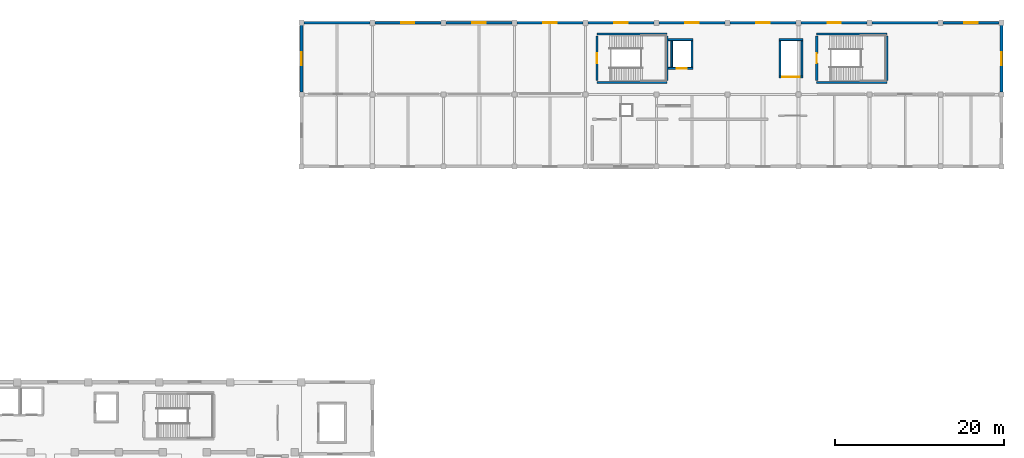
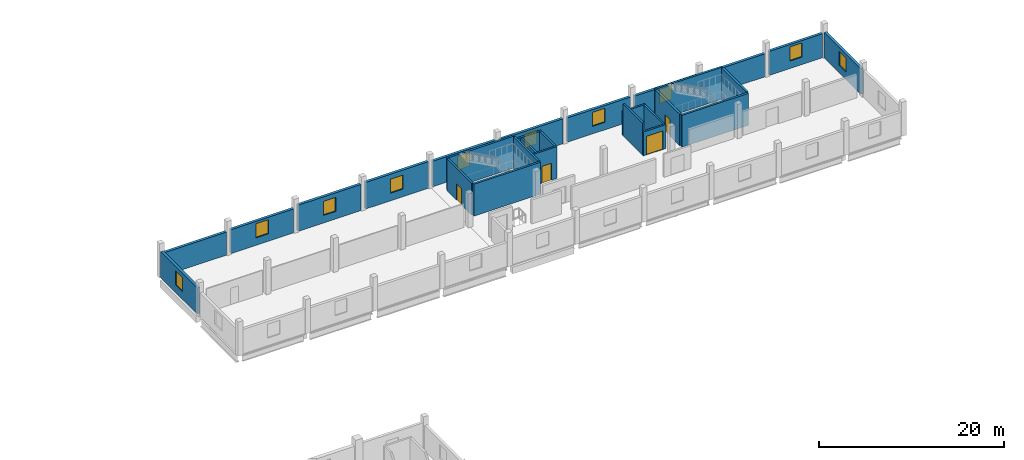
# One storey, part 43 of 50: 28 walls, 10 windows, 4 doors, 14 openings.
"""IFC4 building model written with IfcOpenShell, lengths in metres."""

import ifcopenshell
import ifcopenshell.guid

model = None  # the IFC model being written
_history = None  # IfcOwnerHistory: only IFC2X3 demands one
_inside = {}  # id of a spatial element -> (the spatial element, [elements in it])
_under = {}  # id of a project, library or spatial element -> (it, [spatial elements below it])
_declared = {}  # id of a project -> (the project, [libraries it declares])
_typed = {}  # id of a type object -> (the type object, [elements of that type])
_made_of = {}  # id of a material, layer set ... -> (it, [elements and type objects made of it])


def new_model(schema):
    """Start an empty IFC model of exactly this schema.

    Asked for "IFC4X3", IfcOpenShell would pick the latest addendum, in which some entities
    have other attributes; the version numbers below select the first issue.
    IFC2X3 requires an IfcOwnerHistory on every rooted entity: one is made here for all.
    """
    global model, _history
    if schema == "IFC4X3":
        model = ifcopenshell.file(schema_version=(4, 3, 0, 0))
    else:
        model = ifcopenshell.file(schema=schema)
    _inside.clear()
    _under.clear()
    _declared.clear()
    _typed.clear()
    _made_of.clear()
    _history = None
    if model.schema == "IFC2X3":
        org = make("IfcOrganization", Name="unknown")
        user = make(
            "IfcPersonAndOrganization",
            ThePerson=make("IfcPerson", FamilyName="unknown"),
            TheOrganization=org,
        )
        app = make(
            "IfcApplication",
            ApplicationDeveloper=org,
            Version="unknown",
            ApplicationFullName="unknown",
            ApplicationIdentifier="unknown",
        )
        _history = make(
            "IfcOwnerHistory",
            OwningUser=user,
            OwningApplication=app,
            ChangeAction="ADDED",
            CreationDate=0,
        )
    return model


def make(cls, **values):
    """One entity of the class cls with the attributes given. An attribute that is None is left unset."""
    return model.create_entity(
        cls, **{name: value for name, value in values.items() if value is not None}
    )


def rooted(cls, **values):
    """An entity with a GlobalId (a new one), such as an element, a storey or a relation."""
    return make(cls, GlobalId=ifcopenshell.guid.new(), OwnerHistory=_history, **values)


def si_unit(unit_type, name, prefix=None):
    """IfcSIUnit, for example si_unit("LENGTHUNIT", "METRE", prefix="MILLI")."""
    return make("IfcSIUnit", UnitType=unit_type, Prefix=prefix, Name=name)


def assignment(units):
    """IfcUnitAssignment: the units of a project."""
    return None if units is None else make("IfcUnitAssignment", Units=units)


def point(xyz):
    """IfcCartesianPoint."""
    return None if xyz is None else make("IfcCartesianPoint", Coordinates=xyz)


def direction(xyz):
    """IfcDirection."""
    return None if xyz is None else make("IfcDirection", DirectionRatios=xyz)


def frame(location, z_axis=None, x_axis=None):
    """IfcAxis2Placement3D, a coordinate frame: its origin and axes. An axis left out is left unset."""
    return make(
        "IfcAxis2Placement3D",
        Location=point(location),
        Axis=direction(z_axis),
        RefDirection=direction(x_axis),
    )


def frame_2d(location, x_axis=None):
    """IfcAxis2Placement2D, a coordinate frame in the plane: its origin and x axis."""
    return make(
        "IfcAxis2Placement2D", Location=point(location), RefDirection=direction(x_axis)
    )


def origin():
    """The frame at (0, 0, 0) with its axes left unset."""
    return frame((0.0, 0.0, 0.0))


def place(relative_to, where):
    """IfcLocalPlacement: puts the frame where relative to a parent placement (None: the world)."""
    return make(
        "IfcLocalPlacement", PlacementRelTo=relative_to, RelativePlacement=where
    )


def context(
    kind, dimensions, precision=None, world=None, true_north=None, identifier=None
):
    """IfcGeometricRepresentationContext, for example the 3D "Model" context."""
    return make(
        "IfcGeometricRepresentationContext",
        ContextIdentifier=identifier,
        ContextType=kind,
        CoordinateSpaceDimension=dimensions,
        Precision=precision,
        WorldCoordinateSystem=world,
        TrueNorth=true_north,
    )


def subcontext(parent, identifier, kind, view, scale=None):
    """IfcGeometricRepresentationSubContext, for example "Body" below "Model"."""
    return make(
        "IfcGeometricRepresentationSubContext",
        ContextIdentifier=identifier,
        ContextType=kind,
        ParentContext=parent,
        TargetScale=scale,
        TargetView=view,
    )


def project(units=None, contexts=None):
    """IfcProject with its units and contexts."""
    return rooted(
        "IfcProject",
        Name="project",
        RepresentationContexts=contexts,
        UnitsInContext=assignment(units),
    )


def spatial(cls, under=None, at=None, **own):
    """A site, building, storey or space (cls), placed at a placement, below another one or the project."""
    s = rooted(cls, ObjectPlacement=at, **own)
    if under is not None:
        _under.setdefault(under.id(), (under, []))[1].append(s)
    return s


def profile(cls, at=None, kind="AREA", **sizes):
    """A parametric profile (cls). Its sizes go by their IFC names, for example OverallWidth=200.0."""
    return make(cls, ProfileType=kind, Position=at, **sizes)


def rectangle(**sizes):
    """IfcRectangleProfileDef."""
    return profile("IfcRectangleProfileDef", **sizes)


def extrude(swept, where, along, depth):
    """IfcExtrudedAreaSolid: the profile swept, set in the frame where, extruded along a direction by depth."""
    return make(
        "IfcExtrudedAreaSolid",
        SweptArea=swept,
        Position=where,
        ExtrudedDirection=direction(along),
        Depth=depth,
    )


def shape(context_of_items, identifier, shape_type, items):
    """IfcShapeRepresentation: the items that make up one representation, for example the "Body"."""
    return make(
        "IfcShapeRepresentation",
        ContextOfItems=context_of_items,
        RepresentationIdentifier=identifier,
        RepresentationType=shape_type,
        Items=items,
    )


def material(Name=None, Category=None):
    """IfcMaterial."""
    return make("IfcMaterial", Name=Name, Category=Category)


def layer(
    of_material, thickness, ventilated=None, Name=None, Category=None, Priority=None
):
    """IfcMaterialLayer: one layer of a wall or slab, of a material (None: an air gap)."""
    return make(
        "IfcMaterialLayer",
        Material=of_material,
        LayerThickness=thickness,
        IsVentilated=ventilated,
        Name=Name,
        Category=Category,
        Priority=Priority,
    )


def layer_set(layers, Name=None):
    """IfcMaterialLayerSet."""
    return make("IfcMaterialLayerSet", MaterialLayers=layers, LayerSetName=Name)


def made_of(thing, what):
    """Note that an element or type object is made of a material, layer set ...; save() writes the relation."""
    if what is not None:
        _made_of.setdefault(what.id(), (what, []))[1].append(thing)
    return thing


def type_object(cls, material=None, **own):
    """A type object (cls), such as IfcWallType, which elements share."""
    return made_of(rooted(cls, **own), material)


def element(
    cls,
    number,
    at=None,
    inside=None,
    cuts=None,
    type_object=None,
    material=None,
    context=None,
    identifier="Body",
    shape_type=None,
    held_by="IfcProductDefinitionShape",
    body=None,
    shapes=None,
    **own,
):
    """One element of the class cls, such as IfcWall. Its Tag is "e" and its number.

    at: its placement. inside: the storey or other place that contains it. cuts: it is an
    opening in that element (IfcRelVoidsElement). A single representation is given by context,
    identifier, shape_type and body (its items); several are given by shapes. held_by: the class
    of the entity that holds the representations. save() writes the other relations.
    """
    e = rooted(cls, Tag="e%d" % number, ObjectPlacement=at, **own)
    if body is not None:
        shapes = [shape(context, identifier, shape_type, body)]
    if shapes is not None:
        e.Representation = make(held_by, Representations=shapes)
    if inside is not None:
        _inside.setdefault(inside.id(), (inside, []))[1].append(e)
    if cuts is not None:
        rooted(
            "IfcRelVoidsElement", RelatingBuildingElement=cuts, RelatedOpeningElement=e
        )
    if type_object is not None:
        _typed.setdefault(type_object.id(), (type_object, []))[1].append(e)
    return made_of(e, material)


def fill(opening, filler):
    """IfcRelFillsElement: the door or window that sits in an opening."""
    return rooted(
        "IfcRelFillsElement",
        RelatingOpeningElement=opening,
        RelatedBuildingElement=filler,
    )


def aggregate(whole, parts):
    """IfcRelAggregates: a whole, such as a stair, and the parts it consists of."""
    return rooted("IfcRelAggregates", RelatingObject=whole, RelatedObjects=parts)


def save(model, path):
    """Write the relations noted so far, then the file.

    IfcRelAggregates (storeys below a building ...), IfcRelContainedInSpatialStructure (elements
    in a storey), IfcRelDefinesByType, IfcRelAssociatesMaterial and IfcRelDeclares: one each for
    every whole, place, type object, material and project.
    """
    for whole, parts in _under.values():
        aggregate(whole, parts)
    for where, things in _inside.values():
        rooted(
            "IfcRelContainedInSpatialStructure",
            RelatedElements=things,
            RelatingStructure=where,
        )
    for kind, things in _typed.values():
        rooted("IfcRelDefinesByType", RelatedObjects=things, RelatingType=kind)
    for what, things in _made_of.values():
        rooted("IfcRelAssociatesMaterial", RelatedObjects=things, RelatingMaterial=what)
    for by, libraries in _declared.values():
        rooted("IfcRelDeclares", RelatingContext=by, RelatedDefinitions=libraries)
    model.write(path)


model = new_model("IFC4")

# Units and contexts
model_context = context("Model", 3, precision=1e-05, world=origin(), true_north=direction((0.0, 1.0)))
body_context = subcontext(model_context, "Body", "Model", "MODEL_VIEW")
ifc_project = project(units=[si_unit("LENGTHUNIT", "METRE"), si_unit("AREAUNIT", "SQUARE_METRE"), si_unit("VOLUMEUNIT", "CUBIC_METRE"), si_unit("PLANEANGLEUNIT", "RADIAN"), si_unit("MASSUNIT", "GRAM", prefix="KILO")], contexts=[model_context])

# Site, building, storey
site_placement = place(None, origin())
site = spatial("IfcSite", under=ifc_project, at=site_placement, CompositionType="ELEMENT")
building_placement = place(site_placement, origin())
building = spatial("IfcBuilding", under=site, at=building_placement, Name="Solvento Point Concert Hall", CompositionType="ELEMENT")
storey_placement = place(building_placement, frame((0.0, 0.0, 15.0)))
storey = spatial("IfcBuildingStorey", under=building, at=storey_placement, Name="L03", CompositionType="ELEMENT", Elevation=15.0)

# Walls
ifc_material_1 = material(Name="Concrete C40/50", Category="concrete")
ifc_layer_1 = layer(ifc_material_1, 0.300048828125)
ifc_layer_set_1 = layer_set([ifc_layer_1], Name="Concrete C40/50")
wall_type_1 = type_object("IfcWallType", Name="CoreShearWall_300", PredefinedType="SHEAR", material=ifc_layer_set_1)
for number, where, z_axis, x_axis, name in (
    (1, (176.449951171875, 128.949951171875, 0.0), (0.0, 0.0, 1.0), (-1.0, 0.0, 0.0), "Stair core shear wall W-SH1 ST-01 L03"),
    (2, (168.14990234375, 134.64990234375, 0.0), (0.0, 0.0, 1.0), (1.0, 0.0, 0.0), "Stair core shear wall W-SH1 ST-01 L03"),
):
    element("IfcWall", number, at=place(storey_placement, frame(where, z_axis=z_axis, x_axis=x_axis)), inside=storey, type_object=wall_type_1, Name=name, PredefinedType="SHEAR", context=body_context, shape_type="SweptSolid", body=[
        extrude(rectangle(XDim=8.300048828125, YDim=0.25, at=frame_2d((4.14990234375, 0.0))), origin(), (0.0, 0.0, 1.0), 4.2099609375),
    ])

# Wall, opening, door
wall_1_placement = place(storey_placement, frame((168.14990234375, 129.14990234375, 0.0), z_axis=(0.0, 0.0, 1.0), x_axis=(0.0, 1.0, 0.0)))
wall_1 = element("IfcWall", 3, at=wall_1_placement, inside=storey, type_object=wall_type_1, Name="Stair core shear wall W-SH1 ST-01 L03", PredefinedType="SHEAR", context=body_context, shape_type="SweptSolid", body=[
    extrude(rectangle(XDim=5.300048828125, YDim=0.25, at=frame_2d((2.64990234375, 0.0))), origin(), (0.0, 0.0, 1.0), 4.2099609375),
])
opening_1_placement = place(wall_1_placement, frame((2.074951171875, 0.0, 0.0)))
opening_1 = element("IfcOpeningElement", 4, at=opening_1_placement, cuts=wall_1, Name="Opening D-ST1", PredefinedType="OPENING", context=body_context, shape_type="SweptSolid", body=[
    extrude(rectangle(XDim=1.14990234375, YDim=2.179931640625, at=frame_2d((0.574951171875, 1.08984375))), frame((0.0, 0.135009765625, 0.0), z_axis=(0.0, -1.0, 0.0), x_axis=(1.0, 0.0, 0.0)), (0.0, 0.0, 1.0), 0.27001953125),
])
ifc_material_2 = material(Name="Hollow Metal Acoustic Fire Door")
door_type_1 = type_object("IfcDoorType", Name="StairFireDoor_1150", OperationType="NOTDEFINED", PredefinedType="DOOR", material=ifc_material_2)
door_1_placement = place(opening_1_placement, origin())
door_1 = element("IfcDoor", 5, at=door_1_placement, inside=storey, type_object=door_type_1, Name="Protected exit stair door ST-01 L03", OperationType="SINGLE_SWING_LEFT", OverallHeight=2.179931640625, OverallWidth=1.14990234375, PredefinedType="DOOR", context=body_context, shape_type="SweptSolid", body=[
    extrude(rectangle(XDim=1.14990234375, YDim=2.179931640625, at=frame_2d((0.574951171875, 1.08984375))), frame((0.0, 0.02490234375, 0.0), z_axis=(0.0, -1.0, 0.0), x_axis=(1.0, 0.0, 0.0)), (0.0, 0.0, 1.0), 0.050048828125),
])
fill(opening_1, door_1)

# Walls
wall_2_placement = place(storey_placement, frame((176.449951171875, 134.449951171875, 0.0), z_axis=(0.0, 0.0, 1.0), x_axis=(0.0, -1.0, 0.0)))
element("IfcWall", 6, at=wall_2_placement, inside=storey, type_object=wall_type_1, Name="Stair core shear wall W-SH1 ST-01 L03", PredefinedType="SHEAR", context=body_context, shape_type="SweptSolid", body=[
    extrude(rectangle(XDim=5.300048828125, YDim=0.25, at=frame_2d((2.64990234375, 0.0))), origin(), (0.0, 0.0, 1.0), 4.2099609375),
])
for number, where, z_axis, x_axis, name in (
    (7, (202.449951171875, 128.949951171875, 0.0), (0.0, 0.0, 1.0), (-1.0, 0.0, 0.0), "Stair core shear wall W-SH1 ST-02 L03"),
    (8, (194.14990234375, 134.64990234375, 0.0), (0.0, 0.0, 1.0), (1.0, 0.0, 0.0), "Stair core shear wall W-SH1 ST-02 L03"),
):
    element("IfcWall", number, at=place(storey_placement, frame(where, z_axis=z_axis, x_axis=x_axis)), inside=storey, type_object=wall_type_1, Name=name, PredefinedType="SHEAR", context=body_context, shape_type="SweptSolid", body=[
        extrude(rectangle(XDim=8.300048828125, YDim=0.25, at=frame_2d((4.14990234375, 0.0))), origin(), (0.0, 0.0, 1.0), 4.2099609375),
    ])

# Wall, opening, door
wall_3_placement = place(storey_placement, frame((194.14990234375, 129.14990234375, 0.0), z_axis=(0.0, 0.0, 1.0), x_axis=(0.0, 1.0, 0.0)))
wall_3 = element("IfcWall", 9, at=wall_3_placement, inside=storey, type_object=wall_type_1, Name="Stair core shear wall W-SH1 ST-02 L03", PredefinedType="SHEAR", context=body_context, shape_type="SweptSolid", body=[
    extrude(rectangle(XDim=5.300048828125, YDim=0.25, at=frame_2d((2.64990234375, 0.0))), origin(), (0.0, 0.0, 1.0), 4.2099609375),
])
opening_2_placement = place(wall_3_placement, frame((2.074951171875, 0.0, 0.0)))
opening_2 = element("IfcOpeningElement", 10, at=opening_2_placement, cuts=wall_3, Name="Opening D-ST1", PredefinedType="OPENING", context=body_context, shape_type="SweptSolid", body=[
    extrude(rectangle(XDim=1.14990234375, YDim=2.179931640625, at=frame_2d((0.574951171875, 1.08984375))), frame((0.0, 0.135009765625, 0.0), z_axis=(0.0, -1.0, 0.0), x_axis=(1.0, 0.0, 0.0)), (0.0, 0.0, 1.0), 0.27001953125),
])
door_2_placement = place(opening_2_placement, origin())
door_2 = element("IfcDoor", 11, at=door_2_placement, inside=storey, type_object=door_type_1, Name="Protected exit stair door ST-02 L03", OperationType="SINGLE_SWING_RIGHT", OverallHeight=2.179931640625, OverallWidth=1.14990234375, PredefinedType="DOOR", context=body_context, shape_type="SweptSolid", body=[
    extrude(rectangle(XDim=1.14990234375, YDim=2.179931640625, at=frame_2d((0.574951171875, 1.08984375))), frame((0.0, 0.02490234375, 0.0), z_axis=(0.0, -1.0, 0.0), x_axis=(1.0, 0.0, 0.0)), (0.0, 0.0, 1.0), 0.050048828125),
])
fill(opening_2, door_2)

# Wall
wall_4_placement = place(storey_placement, frame((202.449951171875, 134.449951171875, 0.0), z_axis=(0.0, 0.0, 1.0), x_axis=(0.0, -1.0, 0.0)))
element("IfcWall", 12, at=wall_4_placement, inside=storey, type_object=wall_type_1, Name="Stair core shear wall W-SH1 ST-02 L03", PredefinedType="SHEAR", context=body_context, shape_type="SweptSolid", body=[
    extrude(rectangle(XDim=5.300048828125, YDim=0.25, at=frame_2d((2.64990234375, 0.0))), origin(), (0.0, 0.0, 1.0), 4.2099609375),
])

# Wall, opening, door
wall_5_placement = place(storey_placement, frame((176.574951171875, 130.60009765625, 0.0), z_axis=(0.0, 0.0, 1.0), x_axis=(1.0, 0.0, 0.0)))
wall_5 = element("IfcWall", 13, at=wall_5_placement, inside=storey, type_object=wall_type_1, Name="Elevator shaft shear wall W-SH1 LF-01 L03", PredefinedType="SHEAR", context=body_context, shape_type="SweptSolid", body=[
    extrude(rectangle(XDim=2.93505859375, YDim=0.219970703125, at=frame_2d((1.467529296875, 0.0))), origin(), (0.0, 0.0, 1.0), 4.2099609375),
])
opening_3_placement = place(wall_5_placement, frame((1.02490234375, 0.0, 0.0)))
opening_3 = element("IfcOpeningElement", 14, at=opening_3_placement, cuts=wall_5, Name="Opening LD-01", PredefinedType="OPENING", context=body_context, shape_type="SweptSolid", body=[
    extrude(rectangle(XDim=1.199951171875, YDim=2.25, at=frame_2d((0.60009765625, 1.125))), frame((0.0, 0.119873046875, 0.0), z_axis=(0.0, -1.0, 0.0), x_axis=(1.0, 0.0, 0.0)), (0.0, 0.0, 1.0), 0.239990234375),
])
ifc_material_3 = material(Name="Hollow Metal Acoustic Fire Door")
door_type_2 = type_object("IfcDoorType", Name="LiftLandingDoor_FF", OperationType="SLIDING_TO_LEFT", PredefinedType="DOOR", material=ifc_material_3)
door_3_placement = place(opening_3_placement, origin())
door_3 = element("IfcDoor", 15, at=door_3_placement, inside=storey, type_object=door_type_2, Name="Elevator landing door LF-01 L03", OperationType="SLIDING_TO_LEFT", OverallHeight=2.25, OverallWidth=1.199951171875, PredefinedType="DOOR", context=body_context, shape_type="SweptSolid", body=[
    extrude(rectangle(XDim=1.199951171875, YDim=2.25, at=frame_2d((0.60009765625, 1.125))), frame((0.0, 0.02490234375, 0.0), z_axis=(0.0, -1.0, 0.0), x_axis=(1.0, 0.0, 0.0)), (0.0, 0.0, 1.0), 0.050048828125),
])
fill(opening_3, door_3)

# Walls
wall_6_placement = place(storey_placement, frame((176.574951171875, 134.0, 0.0), z_axis=(0.0, 0.0, 1.0), x_axis=(1.0, 0.0, 0.0)))
element("IfcWall", 16, at=wall_6_placement, inside=storey, type_object=wall_type_1, Name="Elevator shaft shear wall W-SH1 LF-01 L03", PredefinedType="SHEAR", context=body_context, shape_type="SweptSolid", body=[
    extrude(rectangle(XDim=2.93505859375, YDim=0.219970703125, at=frame_2d((1.467529296875, 0.0))), origin(), (0.0, 0.0, 1.0), 4.2099609375),
])
for number, where, z_axis, x_axis, name in (
    (17, (177.0, 130.7099609375, 0.0), (0.0, 0.0, 1.0), (0.0, 1.0, 0.0), "Elevator shaft shear wall W-SH1 LF-01 L03"),
    (18, (179.39990234375, 130.7099609375, 0.0), (0.0, 0.0, 1.0), (0.0, 1.0, 0.0), "Elevator shaft shear wall W-SH1 LF-01 L03"),
):
    element("IfcWall", number, at=place(storey_placement, frame(where, z_axis=z_axis, x_axis=x_axis)), inside=storey, type_object=wall_type_1, Name=name, PredefinedType="SHEAR", context=body_context, shape_type="SweptSolid", body=[
        extrude(rectangle(XDim=3.179931640625, YDim=0.219970703125, at=frame_2d((1.58984375, 0.0))), origin(), (0.0, 0.0, 1.0), 4.2099609375),
    ])

# Wall, opening, door
wall_7_placement = place(storey_placement, frame((189.68994140625, 129.60009765625, 0.0), z_axis=(0.0, 0.0, 1.0), x_axis=(1.0, 0.0, 0.0)))
wall_7 = element("IfcWall", 19, at=wall_7_placement, inside=storey, type_object=wall_type_1, Name="Elevator shaft shear wall W-SH1 LG-02 L03", PredefinedType="SHEAR", context=body_context, shape_type="SweptSolid", body=[
    extrude(rectangle(XDim=2.820068359375, YDim=0.219970703125, at=frame_2d((1.41015625, 0.0))), origin(), (0.0, 0.0, 1.0), 3.1640625),
])
opening_4_placement = place(wall_7_placement, frame((0.360107421875, 0.0, 0.0)))
opening_4 = element("IfcOpeningElement", 20, at=opening_4_placement, cuts=wall_7, Name="Opening LD-03", PredefinedType="OPENING", context=body_context, shape_type="SweptSolid", body=[
    extrude(rectangle(XDim=2.10009765625, YDim=2.449951171875, at=frame_2d((1.050048828125, 1.22509765625))), frame((0.0, 0.119873046875, 0.0), z_axis=(0.0, -1.0, 0.0), x_axis=(1.0, 0.0, 0.0)), (0.0, 0.0, 1.0), 0.239990234375),
])
ifc_material_4 = material(Name="Hollow Metal Acoustic Fire Door")
door_type_3 = type_object("IfcDoorType", Name="LiftLandingDoor_Goods", OperationType="DOUBLE_DOOR_SLIDING", PredefinedType="DOOR", material=ifc_material_4)
door_4_placement = place(opening_4_placement, origin())
door_4 = element("IfcDoor", 21, at=door_4_placement, inside=storey, type_object=door_type_3, Name="Elevator landing door LG-02 L03", OperationType="DOUBLE_DOOR_SLIDING", OverallHeight=2.449951171875, OverallWidth=2.10009765625, PredefinedType="DOOR", context=body_context, shape_type="SweptSolid", body=[
    extrude(rectangle(XDim=2.10009765625, YDim=2.449951171875, at=frame_2d((1.050048828125, 1.22509765625))), frame((0.0, 0.02490234375, 0.0), z_axis=(0.0, -1.0, 0.0), x_axis=(1.0, 0.0, 0.0)), (0.0, 0.0, 1.0), 0.050048828125),
])
fill(opening_4, door_4)

# Walls
wall_8_placement = place(storey_placement, frame((189.68994140625, 134.0, 0.0), z_axis=(0.0, 0.0, 1.0), x_axis=(1.0, 0.0, 0.0)))
element("IfcWall", 22, at=wall_8_placement, inside=storey, type_object=wall_type_1, Name="Elevator shaft shear wall W-SH1 LG-02 L03", PredefinedType="SHEAR", context=body_context, shape_type="SweptSolid", body=[
    extrude(rectangle(XDim=2.820068359375, YDim=0.219970703125, at=frame_2d((1.41015625, 0.0))), origin(), (0.0, 0.0, 1.0), 3.1640625),
])
wall_9_placement = place(storey_placement, frame((189.800048828125, 129.7099609375, 0.0), z_axis=(0.0, 0.0, 1.0), x_axis=(0.0, 1.0, 0.0)))
element("IfcWall", 23, at=wall_9_placement, inside=storey, type_object=wall_type_1, Name="Elevator shaft shear wall W-SH1 LG-02 L03", PredefinedType="SHEAR", context=body_context, shape_type="SweptSolid", body=[
    extrude(rectangle(XDim=4.179931640625, YDim=0.219970703125, at=frame_2d((2.08984375, 0.0))), origin(), (0.0, 0.0, 1.0), 4.2099609375),
])
wall_10_placement = place(storey_placement, frame((192.39990234375, 129.7099609375, 0.0), z_axis=(0.0, 0.0, 1.0), x_axis=(0.0, 1.0, 0.0)))
element("IfcWall", 24, at=wall_10_placement, inside=storey, type_object=wall_type_1, Name="Elevator shaft shear wall W-SH1 LG-02 L03", PredefinedType="SHEAR", context=body_context, shape_type="SweptSolid", body=[
    extrude(rectangle(XDim=4.179931640625, YDim=0.219970703125, at=frame_2d((2.08984375, 0.0))), origin(), (0.0, 0.0, 1.0), 3.1640625),
])

# Wall, opening, window
ifc_material_5 = material(Name="Concrete C35/45", Category="concrete")
ifc_layer_2 = layer(ifc_material_5, 0.330078125)
ifc_layer_set_2 = layer_set([ifc_layer_2], Name="Concrete C35/45")
wall_type_2 = type_object("IfcWallType", Name="ExtWall_V5_Plinth_330", PredefinedType="SOLIDWALL", material=ifc_layer_set_2)
wall_11_placement = place(storey_placement, frame((133.199951171875, 127.780029296875, 0.0), z_axis=(0.0, 0.0, 1.0), x_axis=(0.0, 1.0, 0.0)))
wall_11 = element("IfcWall", 25, at=wall_11_placement, inside=storey, type_object=wall_type_2, Name="Exterior architectural concrete wall EW-72 L03", PredefinedType="SOLIDWALL", context=body_context, shape_type="SweptSolid", body=[
    extrude(rectangle(XDim=7.93994140625, YDim=0.330078125, at=frame_2d((3.969970703125, 0.0))), origin(), (0.0, 0.0, 1.0), 3.4560546875),
])
opening_5_placement = place(wall_11_placement, frame((3.195068359375, 0.0, 1.0)))
opening_5 = element("IfcOpeningElement", 26, at=opening_5_placement, cuts=wall_11, Name="Opening WN-94", PredefinedType="OPENING", context=body_context, shape_type="SweptSolid", body=[
    extrude(rectangle(XDim=1.550048828125, YDim=1.85009765625, at=frame_2d((0.77490234375, 0.925048828125))), frame((0.0, 0.175048828125, 0.0), z_axis=(0.0, -1.0, 0.0), x_axis=(1.0, 0.0, 0.0)), (0.0, 0.0, 1.0), 0.35009765625),
])
ifc_material_6 = material(Name="Hurricane Laminated Low-E Glass", Category="glass")
window_type = type_object("IfcWindowType", Name="Win_V5_PostProd_L03", PartitioningType="SINGLE_PANEL", PredefinedType="WINDOW", material=ifc_material_6)
window_1_placement = place(opening_5_placement, origin())
window_1 = element("IfcWindow", 27, at=window_1_placement, inside=storey, type_object=window_type, Name="Impact acoustic window WN-94", OverallHeight=1.85009765625, OverallWidth=1.550048828125, PartitioningType="SINGLE_PANEL", PredefinedType="WINDOW", context=body_context, shape_type="SweptSolid", body=[
    extrude(rectangle(XDim=1.550048828125, YDim=1.85009765625, at=frame_2d((0.77490234375, 0.925048828125))), frame((0.0, 0.030029296875, 0.0), z_axis=(0.0, -1.0, 0.0), x_axis=(1.0, 0.0, 0.0)), (0.0, 0.0, 1.0), 0.06005859375),
])
fill(opening_5, window_1)

# Wall
wall_12_placement = place(storey_placement, frame((133.47998046875, 136.0, 0.0), z_axis=(0.0, 0.0, 1.0), x_axis=(1.0, 0.0, 0.0)))
element("IfcWall", 28, at=wall_12_placement, inside=storey, type_object=wall_type_2, Name="Exterior architectural concrete wall EW-72 L03", PredefinedType="SOLIDWALL", context=body_context, shape_type="SweptSolid", body=[
    extrude(rectangle(XDim=7.840087890625, YDim=0.330078125, at=frame_2d((3.919921875, 0.0))), origin(), (0.0, 0.0, 1.0), 3.0380859375),
])

# Wall, opening, window
wall_13_placement = place(storey_placement, frame((141.8798828125, 136.0, 0.0), z_axis=(0.0, 0.0, 1.0), x_axis=(1.0, 0.0, 0.0)))
wall_13 = element("IfcWall", 29, at=wall_13_placement, inside=storey, type_object=wall_type_2, Name="Exterior architectural concrete wall EW-72 L03", PredefinedType="SOLIDWALL", context=body_context, shape_type="SweptSolid", body=[
    extrude(rectangle(XDim=7.840087890625, YDim=0.330078125, at=frame_2d((3.919921875, 0.0))), origin(), (0.0, 0.0, 1.0), 3.1640625),
])
opening_6_placement = place(wall_13_placement, frame((3.14501953125, 0.0, 1.0)))
opening_6 = element("IfcOpeningElement", 30, at=opening_6_placement, cuts=wall_13, Name="Opening WN-94", PredefinedType="OPENING", context=body_context, shape_type="SweptSolid", body=[
    extrude(rectangle(XDim=1.550048828125, YDim=1.85009765625, at=frame_2d((0.77490234375, 0.925048828125))), frame((0.0, 0.175048828125, 0.0), z_axis=(0.0, -1.0, 0.0), x_axis=(1.0, 0.0, 0.0)), (0.0, 0.0, 1.0), 0.35009765625),
])
window_2_placement = place(opening_6_placement, origin())
window_2 = element("IfcWindow", 31, at=window_2_placement, inside=storey, type_object=window_type, Name="Impact acoustic window WN-94", OverallHeight=1.85009765625, OverallWidth=1.550048828125, PartitioningType="SINGLE_PANEL", PredefinedType="WINDOW", context=body_context, shape_type="SweptSolid", body=[
    extrude(rectangle(XDim=1.550048828125, YDim=1.85009765625, at=frame_2d((0.77490234375, 0.925048828125))), frame((0.0, 0.030029296875, 0.0), z_axis=(0.0, -1.0, 0.0), x_axis=(1.0, 0.0, 0.0)), (0.0, 0.0, 1.0), 0.06005859375),
])
fill(opening_6, window_2)

wall_14_placement = place(storey_placement, frame((150.280029296875, 136.0, 0.0), z_axis=(0.0, 0.0, 1.0), x_axis=(1.0, 0.0, 0.0)))
wall_14 = element("IfcWall", 32, at=wall_14_placement, inside=storey, type_object=wall_type_2, Name="Exterior architectural concrete wall EW-72 L03", PredefinedType="SOLIDWALL", context=body_context, shape_type="SweptSolid", body=[
    extrude(rectangle(XDim=7.840087890625, YDim=0.330078125, at=frame_2d((3.919921875, 0.0))), origin(), (0.0, 0.0, 1.0), 3.4560546875),
])
opening_7_placement = place(wall_14_placement, frame((3.14501953125, 0.0, 1.0)))
opening_7 = element("IfcOpeningElement", 33, at=opening_7_placement, cuts=wall_14, Name="Opening WN-94", PredefinedType="OPENING", context=body_context, shape_type="SweptSolid", body=[
    extrude(rectangle(XDim=1.550048828125, YDim=1.85009765625, at=frame_2d((0.77490234375, 0.925048828125))), frame((0.0, 0.175048828125, 0.0), z_axis=(0.0, -1.0, 0.0), x_axis=(1.0, 0.0, 0.0)), (0.0, 0.0, 1.0), 0.35009765625),
])
window_3_placement = place(opening_7_placement, origin())
window_3 = element("IfcWindow", 34, at=window_3_placement, inside=storey, type_object=window_type, Name="Impact acoustic window WN-94", OverallHeight=1.85009765625, OverallWidth=1.550048828125, PartitioningType="SINGLE_PANEL", PredefinedType="WINDOW", context=body_context, shape_type="SweptSolid", body=[
    extrude(rectangle(XDim=1.550048828125, YDim=1.85009765625, at=frame_2d((0.77490234375, 0.925048828125))), frame((0.0, 0.030029296875, 0.0), z_axis=(0.0, -1.0, 0.0), x_axis=(1.0, 0.0, 0.0)), (0.0, 0.0, 1.0), 0.06005859375),
])
fill(opening_7, window_3)

wall_15_placement = place(storey_placement, frame((158.679931640625, 136.0, 0.0), z_axis=(0.0, 0.0, 1.0), x_axis=(1.0, 0.0, 0.0)))
wall_15 = element("IfcWall", 35, at=wall_15_placement, inside=storey, type_object=wall_type_2, Name="Exterior architectural concrete wall EW-72 L03", PredefinedType="SOLIDWALL", context=body_context, shape_type="SweptSolid", body=[
    extrude(rectangle(XDim=7.840087890625, YDim=0.330078125, at=frame_2d((3.919921875, 0.0))), origin(), (0.0, 0.0, 1.0), 3.514892578125),
])
opening_8_placement = place(wall_15_placement, frame((3.14501953125, 0.0, 1.0)))
opening_8 = element("IfcOpeningElement", 36, at=opening_8_placement, cuts=wall_15, Name="Opening WN-94", PredefinedType="OPENING", context=body_context, shape_type="SweptSolid", body=[
    extrude(rectangle(XDim=1.550048828125, YDim=1.85009765625, at=frame_2d((0.77490234375, 0.925048828125))), frame((0.0, 0.175048828125, 0.0), z_axis=(0.0, -1.0, 0.0), x_axis=(1.0, 0.0, 0.0)), (0.0, 0.0, 1.0), 0.35009765625),
])
window_4_placement = place(opening_8_placement, origin())
window_4 = element("IfcWindow", 37, at=window_4_placement, inside=storey, type_object=window_type, Name="Impact acoustic window WN-94", OverallHeight=1.85009765625, OverallWidth=1.550048828125, PartitioningType="SINGLE_PANEL", PredefinedType="WINDOW", context=body_context, shape_type="SweptSolid", body=[
    extrude(rectangle(XDim=1.550048828125, YDim=1.85009765625, at=frame_2d((0.77490234375, 0.925048828125))), frame((0.0, 0.030029296875, 0.0), z_axis=(0.0, -1.0, 0.0), x_axis=(1.0, 0.0, 0.0)), (0.0, 0.0, 1.0), 0.06005859375),
])
fill(opening_8, window_4)

wall_16_placement = place(storey_placement, frame((167.080078125, 136.0, 0.0), z_axis=(0.0, 0.0, 1.0), x_axis=(1.0, 0.0, 0.0)))
wall_16 = element("IfcWall", 38, at=wall_16_placement, inside=storey, type_object=wall_type_2, Name="Exterior architectural concrete wall EW-72 L03", PredefinedType="SOLIDWALL", context=body_context, shape_type="SweptSolid", body=[
    extrude(rectangle(XDim=7.83984375, YDim=0.330078125, at=frame_2d((3.919921875, 0.0))), origin(), (0.0, 0.0, 1.0), 3.37109375),
])
opening_9_placement = place(wall_16_placement, frame((3.14501953125, 0.0, 1.0)))
opening_9 = element("IfcOpeningElement", 39, at=opening_9_placement, cuts=wall_16, Name="Opening WN-94", PredefinedType="OPENING", context=body_context, shape_type="SweptSolid", body=[
    extrude(rectangle(XDim=1.550048828125, YDim=1.85009765625, at=frame_2d((0.77490234375, 0.925048828125))), frame((0.0, 0.175048828125, 0.0), z_axis=(0.0, -1.0, 0.0), x_axis=(1.0, 0.0, 0.0)), (0.0, 0.0, 1.0), 0.35009765625),
])
window_5_placement = place(opening_9_placement, origin())
window_5 = element("IfcWindow", 40, at=window_5_placement, inside=storey, type_object=window_type, Name="Impact acoustic window WN-94", OverallHeight=1.85009765625, OverallWidth=1.550048828125, PartitioningType="SINGLE_PANEL", PredefinedType="WINDOW", context=body_context, shape_type="SweptSolid", body=[
    extrude(rectangle(XDim=1.550048828125, YDim=1.85009765625, at=frame_2d((0.77490234375, 0.925048828125))), frame((0.0, 0.030029296875, 0.0), z_axis=(0.0, -1.0, 0.0), x_axis=(1.0, 0.0, 0.0)), (0.0, 0.0, 1.0), 0.06005859375),
])
fill(opening_9, window_5)

wall_17_placement = place(storey_placement, frame((175.47998046875, 136.0, 0.0), z_axis=(0.0, 0.0, 1.0), x_axis=(1.0, 0.0, 0.0)))
wall_17 = element("IfcWall", 41, at=wall_17_placement, inside=storey, type_object=wall_type_2, Name="Exterior architectural concrete wall EW-72 L03", PredefinedType="SOLIDWALL", context=body_context, shape_type="SweptSolid", body=[
    extrude(rectangle(XDim=7.840087890625, YDim=0.330078125, at=frame_2d((3.919921875, 0.0))), origin(), (0.0, 0.0, 1.0), 3.2939453125),
])
opening_10_placement = place(wall_17_placement, frame((3.14501953125, 0.0, 1.0)))
opening_10 = element("IfcOpeningElement", 42, at=opening_10_placement, cuts=wall_17, Name="Opening WN-94", PredefinedType="OPENING", context=body_context, shape_type="SweptSolid", body=[
    extrude(rectangle(XDim=1.550048828125, YDim=1.85009765625, at=frame_2d((0.77490234375, 0.925048828125))), frame((0.0, 0.175048828125, 0.0), z_axis=(0.0, -1.0, 0.0), x_axis=(1.0, 0.0, 0.0)), (0.0, 0.0, 1.0), 0.35009765625),
])
window_6_placement = place(opening_10_placement, origin())
window_6 = element("IfcWindow", 43, at=window_6_placement, inside=storey, type_object=window_type, Name="Impact acoustic window WN-94", OverallHeight=1.85009765625, OverallWidth=1.550048828125, PartitioningType="SINGLE_PANEL", PredefinedType="WINDOW", context=body_context, shape_type="SweptSolid", body=[
    extrude(rectangle(XDim=1.550048828125, YDim=1.85009765625, at=frame_2d((0.77490234375, 0.925048828125))), frame((0.0, 0.030029296875, 0.0), z_axis=(0.0, -1.0, 0.0), x_axis=(1.0, 0.0, 0.0)), (0.0, 0.0, 1.0), 0.06005859375),
])
fill(opening_10, window_6)

wall_18_placement = place(storey_placement, frame((183.8798828125, 136.0, 0.0), z_axis=(0.0, 0.0, 1.0), x_axis=(1.0, 0.0, 0.0)))
wall_18 = element("IfcWall", 44, at=wall_18_placement, inside=storey, type_object=wall_type_2, Name="Exterior architectural concrete wall EW-72 L03", PredefinedType="SOLIDWALL", context=body_context, shape_type="SweptSolid", body=[
    extrude(rectangle(XDim=7.840087890625, YDim=0.330078125, at=frame_2d((3.919921875, 0.0))), origin(), (0.0, 0.0, 1.0), 3.205078125),
])
opening_11_placement = place(wall_18_placement, frame((3.14501953125, 0.0, 1.0)))
opening_11 = element("IfcOpeningElement", 45, at=opening_11_placement, cuts=wall_18, Name="Opening WN-94", PredefinedType="OPENING", context=body_context, shape_type="SweptSolid", body=[
    extrude(rectangle(XDim=1.550048828125, YDim=1.85009765625, at=frame_2d((0.77490234375, 0.925048828125))), frame((0.0, 0.175048828125, 0.0), z_axis=(0.0, -1.0, 0.0), x_axis=(1.0, 0.0, 0.0)), (0.0, 0.0, 1.0), 0.35009765625),
])
window_7_placement = place(opening_11_placement, origin())
window_7 = element("IfcWindow", 46, at=window_7_placement, inside=storey, type_object=window_type, Name="Impact acoustic window WN-94", OverallHeight=1.85009765625, OverallWidth=1.550048828125, PartitioningType="SINGLE_PANEL", PredefinedType="WINDOW", context=body_context, shape_type="SweptSolid", body=[
    extrude(rectangle(XDim=1.550048828125, YDim=1.85009765625, at=frame_2d((0.77490234375, 0.925048828125))), frame((0.0, 0.030029296875, 0.0), z_axis=(0.0, -1.0, 0.0), x_axis=(1.0, 0.0, 0.0)), (0.0, 0.0, 1.0), 0.06005859375),
])
fill(opening_11, window_7)

wall_19_placement = place(storey_placement, frame((192.280029296875, 136.0, 0.0), z_axis=(0.0, 0.0, 1.0), x_axis=(1.0, 0.0, 0.0)))
wall_19 = element("IfcWall", 47, at=wall_19_placement, inside=storey, type_object=wall_type_2, Name="Exterior architectural concrete wall EW-72 L03", PredefinedType="SOLIDWALL", context=body_context, shape_type="SweptSolid", body=[
    extrude(rectangle(XDim=7.840087890625, YDim=0.330078125, at=frame_2d((3.919921875, 0.0))), origin(), (0.0, 0.0, 1.0), 3.136962890625),
])
opening_12_placement = place(wall_19_placement, frame((3.14501953125, 0.0, 1.0)))
opening_12 = element("IfcOpeningElement", 48, at=opening_12_placement, cuts=wall_19, Name="Opening WN-94", PredefinedType="OPENING", context=body_context, shape_type="SweptSolid", body=[
    extrude(rectangle(XDim=1.550048828125, YDim=1.85009765625, at=frame_2d((0.77490234375, 0.925048828125))), frame((0.0, 0.175048828125, 0.0), z_axis=(0.0, -1.0, 0.0), x_axis=(1.0, 0.0, 0.0)), (0.0, 0.0, 1.0), 0.35009765625),
])
window_8_placement = place(opening_12_placement, origin())
window_8 = element("IfcWindow", 49, at=window_8_placement, inside=storey, type_object=window_type, Name="Impact acoustic window WN-94", OverallHeight=1.85009765625, OverallWidth=1.550048828125, PartitioningType="SINGLE_PANEL", PredefinedType="WINDOW", context=body_context, shape_type="SweptSolid", body=[
    extrude(rectangle(XDim=1.550048828125, YDim=1.85009765625, at=frame_2d((0.77490234375, 0.925048828125))), frame((0.0, 0.030029296875, 0.0), z_axis=(0.0, -1.0, 0.0), x_axis=(1.0, 0.0, 0.0)), (0.0, 0.0, 1.0), 0.06005859375),
])
fill(opening_12, window_8)

# Wall
wall_20_placement = place(storey_placement, frame((200.679931640625, 136.0, 0.0), z_axis=(0.0, 0.0, 1.0), x_axis=(1.0, 0.0, 0.0)))
element("IfcWall", 50, at=wall_20_placement, inside=storey, type_object=wall_type_2, Name="Exterior architectural concrete wall EW-72 L03", PredefinedType="SOLIDWALL", context=body_context, shape_type="SweptSolid", body=[
    extrude(rectangle(XDim=7.840087890625, YDim=0.330078125, at=frame_2d((3.919921875, 0.0))), origin(), (0.0, 0.0, 1.0), 3.0380859375),
])

# Wall, opening, window
wall_21_placement = place(storey_placement, frame((209.080078125, 136.0, 0.0), z_axis=(0.0, 0.0, 1.0), x_axis=(1.0, 0.0, 0.0)))
wall_21 = element("IfcWall", 51, at=wall_21_placement, inside=storey, type_object=wall_type_2, Name="Exterior architectural concrete wall EW-72 L03", PredefinedType="SOLIDWALL", context=body_context, shape_type="SweptSolid", body=[
    extrude(rectangle(XDim=6.639892578125, YDim=0.330078125, at=frame_2d((3.31982421875, 0.0))), origin(), (0.0, 0.0, 1.0), 3.1640625),
])
opening_13_placement = place(wall_21_placement, frame((2.544921875, 0.0, 1.0)))
opening_13 = element("IfcOpeningElement", 52, at=opening_13_placement, cuts=wall_21, Name="Opening WN-94", PredefinedType="OPENING", context=body_context, shape_type="SweptSolid", body=[
    extrude(rectangle(XDim=1.550048828125, YDim=1.85009765625, at=frame_2d((0.77490234375, 0.925048828125))), frame((0.0, 0.175048828125, 0.0), z_axis=(0.0, -1.0, 0.0), x_axis=(1.0, 0.0, 0.0)), (0.0, 0.0, 1.0), 0.35009765625),
])
window_9_placement = place(opening_13_placement, origin())
window_9 = element("IfcWindow", 53, at=window_9_placement, inside=storey, type_object=window_type, Name="Impact acoustic window WN-94", OverallHeight=1.85009765625, OverallWidth=1.550048828125, PartitioningType="SINGLE_PANEL", PredefinedType="WINDOW", context=body_context, shape_type="SweptSolid", body=[
    extrude(rectangle(XDim=1.550048828125, YDim=1.85009765625, at=frame_2d((0.77490234375, 0.925048828125))), frame((0.0, 0.030029296875, 0.0), z_axis=(0.0, -1.0, 0.0), x_axis=(1.0, 0.0, 0.0)), (0.0, 0.0, 1.0), 0.06005859375),
])
fill(opening_13, window_9)

wall_22_placement = place(storey_placement, frame((216.0, 135.719970703125, 0.0), z_axis=(0.0, 0.0, 1.0), x_axis=(0.0, -1.0, 0.0)))
wall_22 = element("IfcWall", 54, at=wall_22_placement, inside=storey, type_object=wall_type_2, Name="Exterior architectural concrete wall EW-72 L03", PredefinedType="SOLIDWALL", context=body_context, shape_type="SweptSolid", body=[
    extrude(rectangle(XDim=7.93994140625, YDim=0.330078125, at=frame_2d((3.969970703125, 0.0))), origin(), (0.0, 0.0, 1.0), 3.37109375),
])
opening_14_placement = place(wall_22_placement, frame((3.195068359375, 0.0, 1.0)))
opening_14 = element("IfcOpeningElement", 55, at=opening_14_placement, cuts=wall_22, Name="Opening WN-94", PredefinedType="OPENING", context=body_context, shape_type="SweptSolid", body=[
    extrude(rectangle(XDim=1.550048828125, YDim=1.85009765625, at=frame_2d((0.77490234375, 0.925048828125))), frame((0.0, 0.175048828125, 0.0), z_axis=(0.0, -1.0, 0.0), x_axis=(1.0, 0.0, 0.0)), (0.0, 0.0, 1.0), 0.35009765625),
])
window_10_placement = place(opening_14_placement, origin())
window_10 = element("IfcWindow", 56, at=window_10_placement, inside=storey, type_object=window_type, Name="Impact acoustic window WN-94", OverallHeight=1.85009765625, OverallWidth=1.550048828125, PartitioningType="SINGLE_PANEL", PredefinedType="WINDOW", context=body_context, shape_type="SweptSolid", body=[
    extrude(rectangle(XDim=1.550048828125, YDim=1.85009765625, at=frame_2d((0.77490234375, 0.925048828125))), frame((0.0, 0.030029296875, 0.0), z_axis=(0.0, -1.0, 0.0), x_axis=(1.0, 0.0, 0.0)), (0.0, 0.0, 1.0), 0.06005859375),
])
fill(opening_14, window_10)

save(model, "model.ifc")
